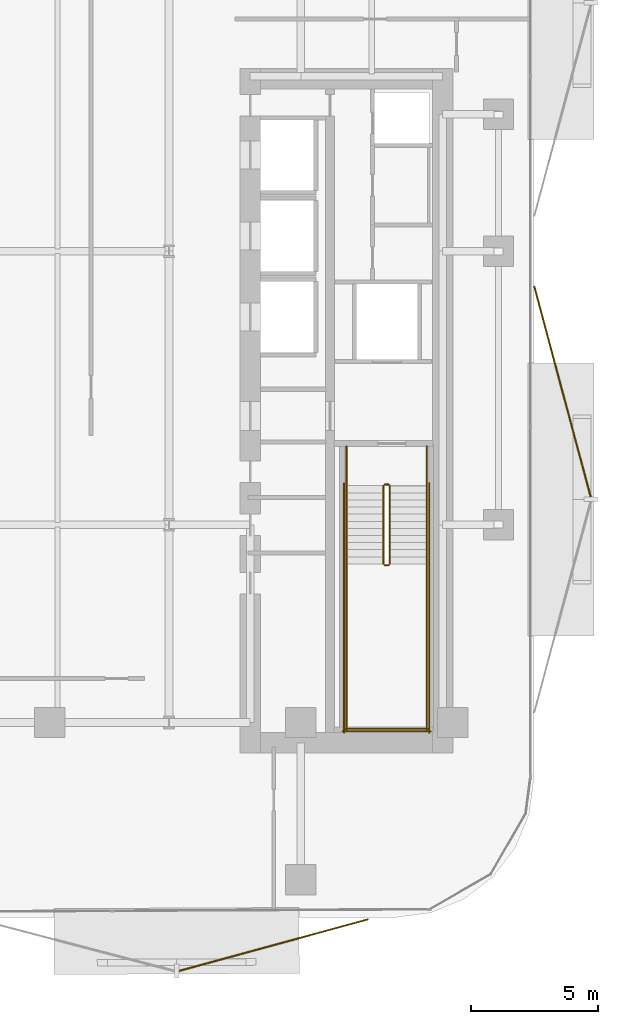
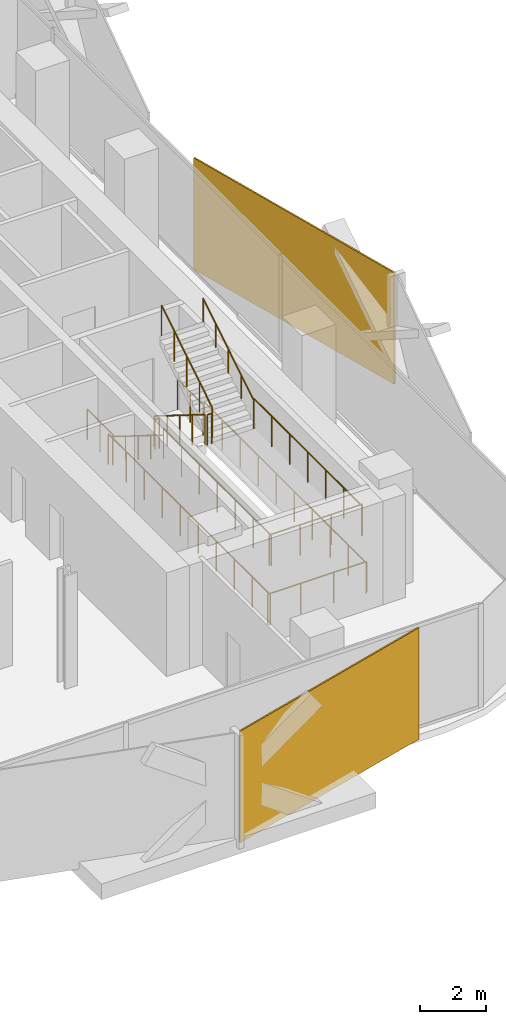
# One storey, part 13 of 15: 14 railings, 2 coverings.
"""IFC4 building model written with IfcOpenShell, lengths in metres."""

from ifc_helpers import new_model, si_unit, direction, frame, origin, origin_2d, place, context, subcontext, project, spatial, rectangle, circle, extrude, material, layer, layer_set, type_object, element, save


model = new_model("IFC4")

# Units and contexts
model_context = context("Model", 3, precision=1e-05, world=origin(), true_north=direction((0.0, 1.0)))
body_context = subcontext(model_context, "Body", "Model", "MODEL_VIEW")
ifc_project = project(units=[si_unit("LENGTHUNIT", "METRE"), si_unit("AREAUNIT", "SQUARE_METRE"), si_unit("VOLUMEUNIT", "CUBIC_METRE"), si_unit("PLANEANGLEUNIT", "RADIAN"), si_unit("MASSUNIT", "GRAM", prefix="KILO")], contexts=[model_context])

# Site, building, storey
site_placement = place(None, origin())
site = spatial("IfcSite", under=ifc_project, at=site_placement, CompositionType="ELEMENT")
building_placement = place(site_placement, origin())
building = spatial("IfcBuilding", under=site, at=building_placement, Name="Khairoan Windgate Tower", CompositionType="ELEMENT")
storey_placement = place(building_placement, frame((0.0, 0.0, 147.800048828125)))
storey = spatial("IfcBuildingStorey", under=building, at=storey_placement, Name="L34", CompositionType="ELEMENT", Elevation=147.800048828125)

# Coverings
ifc_material_1 = material(Name="Anodised Bronze Aluminium 6063-T6", Category="aluminium")
ifc_layer = layer(ifc_material_1, 0.054931640625, Name="Anodised Bronze Aluminium 6063-T6")
ifc_layer_set = layer_set([ifc_layer], Name="Anodised Bronze Aluminium 6063-T6")
covering_type = type_object("IfcCoveringType", Name="Perforated Bronze-Ceramic Folded Solar Screen Cladding BSC-1", PredefinedType="CLADDING", material=ifc_layer_set)
covering_1_placement = place(storey_placement, frame((13.326904296875, -27.384765625, -0.10009765625), z_axis=(0.0, 0.0, 1.0), x_axis=(-0.964649468762, -0.263536339841, 0.0)))
element("IfcCovering", 1, at=covering_1_placement, inside=storey, type_object=covering_type, Name="L34 Folded Bronze Solar Screen Facet 217L", PredefinedType="CLADDING", context=body_context, shape_type="SweptSolid", body=[
    extrude(rectangle(XDim=7.739013671875, YDim=0.054931640625, at=origin_2d()), origin(), (0.0, 0.0, 1.0), 4.139892578125),
])
covering_2_placement = place(storey_placement, frame((24.724609375, -5.542236328125, -0.10009765625), z_axis=(0.0, 0.0, 1.0), x_axis=(0.258819045103, -0.965925826289, 0.0)))
element("IfcCovering", 2, at=covering_2_placement, inside=storey, type_object=covering_type, Name="L34 Folded Bronze Solar Screen Facet 224L", PredefinedType="CLADDING", context=body_context, shape_type="SweptSolid", body=[
    extrude(rectangle(XDim=8.6201171875, YDim=0.054931640625, at=origin_2d()), origin(), (0.0, 0.0, 1.0), 4.139892578125),
])

# Railings
ifc_material_2 = material(Name="Anodised Bronze Aluminium 6063-T6", Category="aluminium")
railing_type_1 = type_object("IfcRailingType", Name="Stair Wall Handrail SHR-900", PredefinedType="HANDRAIL", material=ifc_material_2)
railing_1_placement = place(storey_placement, frame((16.199951171875, -9.260009765625, 0.175048828125)))
element("IfcRailing", 3, at=railing_1_placement, inside=storey, type_object=railing_type_1, Name="L34 ST1 stair handrail 1", PredefinedType="HANDRAIL", context=body_context, shape_type="SweptSolid", body=[
    extrude(circle(Radius=0.02392578125, at=origin_2d()), frame((0.0, 0.0, 0.8759765625), z_axis=(0.0, -0.848028513186, 0.529950602248), x_axis=(1.0, 0.0, 0.0)), (0.0, 0.0, 1.0), 3.632080078125),
    extrude(circle(Radius=0.02099609375, at=origin_2d()), origin(), (0.0, 0.0, 1.0), 0.851806640625),
    extrude(circle(Radius=0.02099609375, at=origin_2d()), frame((0.0, -0.77001953125, 0.481201171875)), (0.0, 0.0, 1.0), 0.851806640625),
    extrude(circle(Radius=0.02099609375, at=origin_2d()), frame((0.0, -1.5400390625, 0.96240234375)), (0.0, 0.0, 1.0), 0.851806640625),
    extrude(circle(Radius=0.02099609375, at=origin_2d()), frame((0.0, -2.31005859375, 1.443603515625)), (0.0, 0.0, 1.0), 0.851806640625),
    extrude(circle(Radius=0.02099609375, at=origin_2d()), frame((0.0, -3.080078125, 1.9248046875)), (0.0, 0.0, 1.0), 0.851806640625),
])
railing_2_placement = place(storey_placement, frame((19.3701171875, -12.340087890625, 2.27490234375)))
element("IfcRailing", 4, at=railing_2_placement, inside=storey, type_object=railing_type_1, Name="L34 ST1 stair handrail 2", PredefinedType="HANDRAIL", context=body_context, shape_type="SweptSolid", body=[
    extrude(circle(Radius=0.02392578125, at=origin_2d()), frame((0.0, 0.0, 0.8759765625), z_axis=(0.0, 0.847998304005, 0.529998940003), x_axis=(-1.0, 0.0, 0.0)), (0.0, 0.0, 1.0), 3.632080078125),
    extrude(circle(Radius=0.02099609375, at=origin_2d()), origin(), (0.0, 0.0, 1.0), 0.851806640625),
    extrude(circle(Radius=0.02099609375, at=origin_2d()), frame((0.0, 0.77001953125, 0.481201171875)), (0.0, 0.0, 1.0), 0.851806640625),
    extrude(circle(Radius=0.02099609375, at=origin_2d()), frame((0.0, 1.5400390625, 0.96240234375)), (0.0, 0.0, 1.0), 0.851806640625),
    extrude(circle(Radius=0.02099609375, at=origin_2d()), frame((0.0, 2.31005859375, 1.44384765625)), (0.0, 0.0, 1.0), 0.851806640625),
    extrude(circle(Radius=0.02099609375, at=origin_2d()), frame((0.0, 3.080078125, 1.925048828125)), (0.0, 0.0, 1.0), 0.851806640625),
])
ifc_material_3 = material(Name="Steel S355", Category="steel")
railing_type_2 = type_object("IfcRailingType", Name="Stairwell Safety Guardrail SGR-1150", PredefinedType="GUARDRAIL", material=ifc_material_3)
railing_3_placement = place(storey_placement, frame((17.659912109375, -9.260009765625, 0.175048828125)))
element("IfcRailing", 5, at=railing_3_placement, inside=storey, type_object=railing_type_2, Name="L34 ST1 stair guard 1", PredefinedType="GUARDRAIL", context=body_context, shape_type="SweptSolid", body=[
    extrude(circle(Radius=0.02392578125, at=origin_2d()), frame((0.0, 0.0, 1.1259765625), z_axis=(0.0, -0.848028513186, 0.529950602248), x_axis=(1.0, 0.0, 0.0)), (0.0, 0.0, 1.0), 3.632080078125),
    extrude(circle(Radius=0.02099609375, at=origin_2d()), origin(), (0.0, 0.0, 1.0), 1.101806640625),
    extrude(circle(Radius=0.02099609375, at=origin_2d()), frame((0.0, -0.77001953125, 0.481201171875)), (0.0, 0.0, 1.0), 1.101806640625),
    extrude(circle(Radius=0.02099609375, at=origin_2d()), frame((0.0, -1.5400390625, 0.96240234375)), (0.0, 0.0, 1.0), 1.101806640625),
    extrude(circle(Radius=0.02099609375, at=origin_2d()), frame((0.0, -2.31005859375, 1.443603515625)), (0.0, 0.0, 1.0), 1.101806640625),
    extrude(circle(Radius=0.02099609375, at=origin_2d()), frame((0.0, -3.080078125, 1.9248046875)), (0.0, 0.0, 1.0), 1.101806640625),
])
railing_4_placement = place(storey_placement, frame((17.7099609375, -12.389892578125, 2.099853515625)))
element("IfcRailing", 6, at=railing_4_placement, inside=storey, type_object=railing_type_2, Name="L34 ST1 stair guard 2", PredefinedType="GUARDRAIL", context=body_context, shape_type="SweptSolid", body=[
    extrude(circle(Radius=0.02392578125, at=origin_2d()), frame((0.0, 0.0, 1.1259765625), z_axis=(1.0, 0.0, 0.0), x_axis=(0.0, 1.0, 0.0)), (0.0, 0.0, 1.0), 0.150146484375),
    extrude(circle(Radius=0.02099609375, at=origin_2d()), origin(), (0.0, 0.0, 1.0), 1.101806640625),
    extrude(circle(Radius=0.02099609375, at=origin_2d()), frame((0.150146484375, 0.0, 0.0)), (0.0, 0.0, 1.0), 1.101806640625),
])
for number, where, name in (
    (7, (16.199951171875, -12.340087890625, 2.099853515625), "L34 ST1 stair guard 3"),
    (8, (19.3701171875, -12.340087890625, 2.099853515625), "L34 ST1 stair guard 4"),
):
    element("IfcRailing", number, at=place(storey_placement, frame(where)), inside=storey, type_object=railing_type_2, Name=name, PredefinedType="GUARDRAIL", context=body_context, shape_type="SweptSolid", body=[
        extrude(circle(Radius=0.02392578125, at=origin_2d()), frame((0.0, 0.0, 1.1259765625), z_axis=(0.0, -1.0, 0.0), x_axis=(1.0, 0.0, 0.0)), (0.0, 0.0, 1.0), 6.559814453125),
        extrude(circle(Radius=0.02099609375, at=origin_2d()), origin(), (0.0, 0.0, 1.0), 1.101806640625),
        extrude(circle(Radius=0.02099609375, at=origin_2d()), frame((0.0, -1.09326171875, 0.0)), (0.0, 0.0, 1.0), 1.101806640625),
        extrude(circle(Radius=0.02099609375, at=origin_2d()), frame((0.0, -2.1865234375, 0.0)), (0.0, 0.0, 1.0), 1.101806640625),
        extrude(circle(Radius=0.02099609375, at=origin_2d()), frame((0.0, -3.27978515625, 0.0)), (0.0, 0.0, 1.0), 1.101806640625),
        extrude(circle(Radius=0.02099609375, at=origin_2d()), frame((0.0, -4.373291015625, 0.0)), (0.0, 0.0, 1.0), 1.101806640625),
        extrude(circle(Radius=0.02099609375, at=origin_2d()), frame((0.0, -5.466552734375, 0.0)), (0.0, 0.0, 1.0), 1.101806640625),
        extrude(circle(Radius=0.02099609375, at=origin_2d()), frame((0.0, -6.559814453125, 0.0)), (0.0, 0.0, 1.0), 1.101806640625),
    ])
railing_5_placement = place(storey_placement, frame((16.14990234375, -18.85009765625, 2.099853515625)))
element("IfcRailing", 9, at=railing_5_placement, inside=storey, type_object=railing_type_2, Name="L34 ST1 stair guard 5", PredefinedType="GUARDRAIL", context=body_context, shape_type="SweptSolid", body=[
    extrude(circle(Radius=0.02392578125, at=origin_2d()), frame((0.0, 0.0, 1.1259765625), z_axis=(1.0, 0.0, 0.0), x_axis=(0.0, 1.0, 0.0)), (0.0, 0.0, 1.0), 3.27001953125),
    extrude(circle(Radius=0.02099609375, at=origin_2d()), origin(), (0.0, 0.0, 1.0), 1.101806640625),
    extrude(circle(Radius=0.02099609375, at=origin_2d()), frame((1.090087890625, 0.0, 0.0)), (0.0, 0.0, 1.0), 1.101806640625),
    extrude(circle(Radius=0.02099609375, at=origin_2d()), frame((2.179931640625, 0.0, 0.0)), (0.0, 0.0, 1.0), 1.101806640625),
    extrude(circle(Radius=0.02099609375, at=origin_2d()), frame((3.27001953125, 0.0, 0.0)), (0.0, 0.0, 1.0), 1.101806640625),
])
railing_6_placement = place(storey_placement, frame((17.909912109375, -12.340087890625, 2.27490234375)))
element("IfcRailing", 10, at=railing_6_placement, inside=storey, type_object=railing_type_2, Name="L34 ST1 stair guard 6", PredefinedType="GUARDRAIL", context=body_context, shape_type="SweptSolid", body=[
    extrude(circle(Radius=0.02392578125, at=origin_2d()), frame((0.0, 0.0, 1.1259765625), z_axis=(0.0, 0.847998304005, 0.529998940003), x_axis=(-1.0, 0.0, 0.0)), (0.0, 0.0, 1.0), 3.632080078125),
    extrude(circle(Radius=0.02099609375, at=origin_2d()), origin(), (0.0, 0.0, 1.0), 1.101806640625),
    extrude(circle(Radius=0.02099609375, at=origin_2d()), frame((0.0, 0.77001953125, 0.481201171875)), (0.0, 0.0, 1.0), 1.101806640625),
    extrude(circle(Radius=0.02099609375, at=origin_2d()), frame((0.0, 1.5400390625, 0.96240234375)), (0.0, 0.0, 1.0), 1.101806640625),
    extrude(circle(Radius=0.02099609375, at=origin_2d()), frame((0.0, 2.31005859375, 1.44384765625)), (0.0, 0.0, 1.0), 1.101806640625),
    extrude(circle(Radius=0.02099609375, at=origin_2d()), frame((0.0, 3.080078125, 1.925048828125)), (0.0, 0.0, 1.0), 1.101806640625),
])
railing_7_placement = place(storey_placement, frame((17.7099609375, -9.2099609375, 0.0)))
element("IfcRailing", 11, at=railing_7_placement, inside=storey, type_object=railing_type_2, Name="L34 ST1 stair guard 7", PredefinedType="GUARDRAIL", context=body_context, shape_type="SweptSolid", body=[
    extrude(circle(Radius=0.02392578125, at=origin_2d()), frame((0.0, 0.0, 1.1259765625), z_axis=(1.0, 0.0, 0.0), x_axis=(0.0, 1.0, 0.0)), (0.0, 0.0, 1.0), 0.150146484375),
    extrude(circle(Radius=0.02099609375, at=origin_2d()), origin(), (0.0, 0.0, 1.0), 1.101806640625),
    extrude(circle(Radius=0.02099609375, at=origin_2d()), frame((0.150146484375, 0.0, 0.0)), (0.0, 0.0, 1.0), 1.101806640625),
])
for number, where, name in (
    (12, (16.199951171875, -7.699951171875, 0.0), "L34 ST1 stair guard 8"),
    (13, (19.3701171875, -7.699951171875, 0.0), "L34 ST1 stair guard 9"),
):
    element("IfcRailing", number, at=place(storey_placement, frame(where)), inside=storey, type_object=railing_type_2, Name=name, PredefinedType="GUARDRAIL", context=body_context, shape_type="SweptSolid", body=[
        extrude(circle(Radius=0.02392578125, at=origin_2d()), frame((0.0, 0.0, 1.1259765625), z_axis=(0.0, -1.0, 0.0), x_axis=(1.0, 0.0, 0.0)), (0.0, 0.0, 1.0), 1.56005859375),
        extrude(circle(Radius=0.02099609375, at=origin_2d()), origin(), (0.0, 0.0, 1.0), 1.101806640625),
        extrude(circle(Radius=0.02099609375, at=origin_2d()), frame((0.0, -0.780029296875, 0.0)), (0.0, 0.0, 1.0), 1.101806640625),
        extrude(circle(Radius=0.02099609375, at=origin_2d()), frame((0.0, -1.56005859375, 0.0)), (0.0, 0.0, 1.0), 1.101806640625),
    ])
for number, where, name in (
    (14, (16.10009765625, -9.159912109375, 0.0), "L34 ST1 stair guard 10"),
    (15, (19.469970703125, -9.159912109375, 0.0), "L34 ST1 stair guard 11"),
):
    element("IfcRailing", number, at=place(storey_placement, frame(where)), inside=storey, type_object=railing_type_2, Name=name, PredefinedType="GUARDRAIL", context=body_context, shape_type="SweptSolid", body=[
        extrude(circle(Radius=0.02392578125, at=origin_2d()), frame((0.0, 0.0, 1.1259765625), z_axis=(0.0, -1.0, 0.0), x_axis=(1.0, 0.0, 0.0)), (0.0, 0.0, 1.0), 9.840087890625),
        extrude(circle(Radius=0.02099609375, at=origin_2d()), origin(), (0.0, 0.0, 1.0), 1.101806640625),
        extrude(circle(Radius=0.02099609375, at=origin_2d()), frame((0.0, -1.09326171875, 0.0)), (0.0, 0.0, 1.0), 1.101806640625),
        extrude(circle(Radius=0.02099609375, at=origin_2d()), frame((0.0, -2.186767578125, 0.0)), (0.0, 0.0, 1.0), 1.101806640625),
        extrude(circle(Radius=0.02099609375, at=origin_2d()), frame((0.0, -3.280029296875, 0.0)), (0.0, 0.0, 1.0), 1.101806640625),
        extrude(circle(Radius=0.02099609375, at=origin_2d()), frame((0.0, -4.373291015625, 0.0)), (0.0, 0.0, 1.0), 1.101806640625),
        extrude(circle(Radius=0.02099609375, at=origin_2d()), frame((0.0, -5.466796875, 0.0)), (0.0, 0.0, 1.0), 1.101806640625),
        extrude(circle(Radius=0.02099609375, at=origin_2d()), frame((0.0, -6.56005859375, 0.0)), (0.0, 0.0, 1.0), 1.101806640625),
        extrude(circle(Radius=0.02099609375, at=origin_2d()), frame((0.0, -7.6533203125, 0.0)), (0.0, 0.0, 1.0), 1.101806640625),
        extrude(circle(Radius=0.02099609375, at=origin_2d()), frame((0.0, -8.746826171875, 0.0)), (0.0, 0.0, 1.0), 1.101806640625),
        extrude(circle(Radius=0.02099609375, at=origin_2d()), frame((0.0, -9.840087890625, 0.0)), (0.0, 0.0, 1.0), 1.101806640625),
    ])
railing_8_placement = place(storey_placement, frame((16.050048828125, -18.949951171875, 0.0)))
element("IfcRailing", 16, at=railing_8_placement, inside=storey, type_object=railing_type_2, Name="L34 ST1 stair guard 12", PredefinedType="GUARDRAIL", context=body_context, shape_type="SweptSolid", body=[
    extrude(circle(Radius=0.02392578125, at=origin_2d()), frame((0.0, 0.0, 1.1259765625), z_axis=(1.0, 0.0, 0.0), x_axis=(0.0, 1.0, 0.0)), (0.0, 0.0, 1.0), 3.469970703125),
    extrude(circle(Radius=0.02099609375, at=origin_2d()), origin(), (0.0, 0.0, 1.0), 1.101806640625),
    extrude(circle(Radius=0.02099609375, at=origin_2d()), frame((1.15673828125, 0.0, 0.0)), (0.0, 0.0, 1.0), 1.101806640625),
    extrude(circle(Radius=0.02099609375, at=origin_2d()), frame((2.313232421875, 0.0, 0.0)), (0.0, 0.0, 1.0), 1.101806640625),
    extrude(circle(Radius=0.02099609375, at=origin_2d()), frame((3.469970703125, 0.0, 0.0)), (0.0, 0.0, 1.0), 1.101806640625),
])

save(model, "model.ifc")
